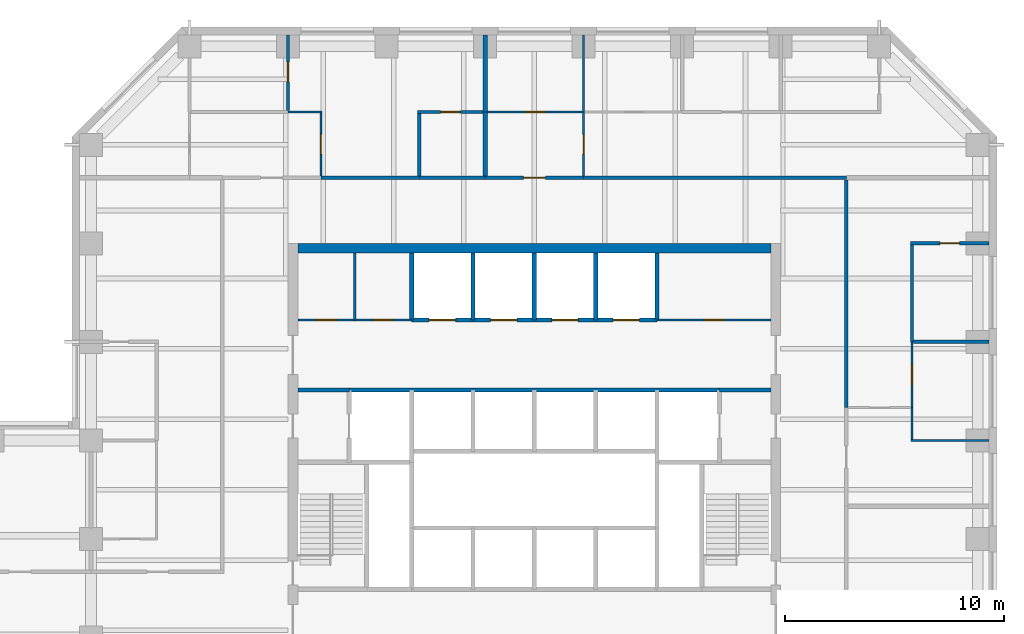
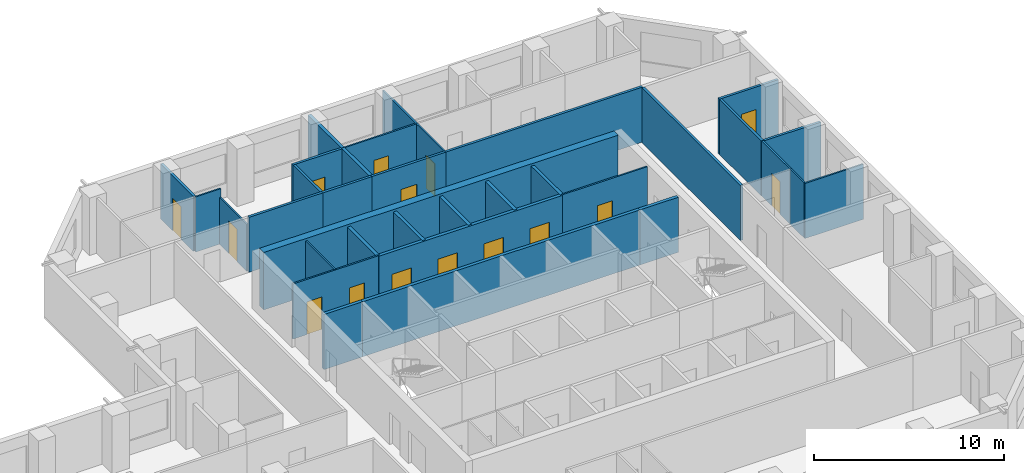
# One storey, part 8 of 11: 34 walls, 15 doors, 15 openings.
"""IFC4 building model written with IfcOpenShell, lengths in metres."""

from ifc_helpers import new_model, si_unit, direction, frame, frame_2d, origin, place, context, subcontext, project, spatial, rectangle, extrude, material, layer, layer_set, type_object, element, fill, save


model = new_model("IFC4")

# Units and contexts
model_context = context("Model", 3, precision=1e-05, world=origin(), true_north=direction((0.0, 1.0)))
body_context = subcontext(model_context, "Body", "Model", "MODEL_VIEW")
ifc_project = project(units=[si_unit("LENGTHUNIT", "METRE"), si_unit("AREAUNIT", "SQUARE_METRE"), si_unit("VOLUMEUNIT", "CUBIC_METRE"), si_unit("PLANEANGLEUNIT", "RADIAN"), si_unit("MASSUNIT", "GRAM", prefix="KILO")], contexts=[model_context])

# Site, building, storey
site_placement = place(None, origin())
site = spatial("IfcSite", under=ifc_project, at=site_placement, CompositionType="ELEMENT")
building_placement = place(site_placement, origin())
building = spatial("IfcBuilding", under=site, at=building_placement, Name="Quoin Convention Tower", CompositionType="ELEMENT")
storey_placement = place(building_placement, frame((0.0, 0.0, 123.300048828125)))
storey = spatial("IfcBuildingStorey", under=building, at=storey_placement, Name="L32", CompositionType="ELEMENT", Elevation=123.300048828125)

# Wall
ifc_material_1 = material(Name="Plasterboard")
ifc_layer_1 = layer(ifc_material_1, 0.012451171875, Name="Finish")
ifc_material_2 = material(Name="Steel stud framing", Category="steel")
ifc_layer_2 = layer(ifc_material_2, 0.125, Name="Structure")
ifc_layer_3 = layer(ifc_material_1, 0.012451171875, Name="Finish")
ifc_layer_set_1 = layer_set([ifc_layer_1, ifc_layer_2, ifc_layer_3], Name="Steel stud framing")
wall_type_1 = type_object("IfcWallType", Name="Acoustic partition 150", PredefinedType="PARTITIONING", material=ifc_layer_set_1)
wall_1_placement = place(storey_placement, frame((73.574951171875, 67.5, 0.0), z_axis=(0.0, 0.0, 1.0), x_axis=(1.0, 0.0, 0.0)))
element("IfcWall", 1, at=wall_1_placement, inside=storey, type_object=wall_type_1, Name="pw-L32-042", PredefinedType="PARTITIONING", context=body_context, shape_type="SweptSolid", body=[
    extrude(rectangle(XDim=3.449951171875, YDim=0.14990234375, at=frame_2d((1.72509765625, 0.0))), origin(), (0.0, 0.0, 1.0), 3.550048828125),
])

# Wall, opening, door
wall_2_placement = place(storey_placement, frame((73.425048828125, 72.0, 0.0), z_axis=(0.0, 0.0, 1.0), x_axis=(1.0, 0.0, 0.0)))
wall_2 = element("IfcWall", 2, at=wall_2_placement, inside=storey, type_object=wall_type_1, Name="pw-L32-043", PredefinedType="PARTITIONING", context=body_context, shape_type="SweptSolid", body=[
    extrude(rectangle(XDim=3.599853515625, YDim=0.14990234375, at=frame_2d((1.7998046875, 0.0))), origin(), (0.0, 0.0, 1.0), 3.550048828125),
])
opening_1_placement = place(wall_2_placement, frame((1.35009765625, 0.0, 0.0)))
opening_1 = element("IfcOpeningElement", 3, at=opening_1_placement, cuts=wall_2, Name="Opening DOL6-16", PredefinedType="OPENING", context=body_context, shape_type="SweptSolid", body=[
    extrude(rectangle(XDim=0.89990234375, YDim=2.10009765625, at=frame_2d((0.449951171875, 1.050048828125))), frame((0.0, 0.0849609375, 0.0), z_axis=(0.0, -1.0, 0.0), x_axis=(1.0, 0.0, 0.0)), (0.0, 0.0, 1.0), 0.169921875),
])
ifc_material_3 = material(Name="Steel door leaf", Category="steel")
door_type_1 = type_object("IfcDoorType", Name="Office door 900 x 2100", OperationType="SINGLE_SWING_RIGHT", PredefinedType="DOOR", material=ifc_material_3)
door_1_placement = place(opening_1_placement, origin())
door_1 = element("IfcDoor", 4, at=door_1_placement, inside=storey, type_object=door_type_1, Name="dr-L32-28", OperationType="SINGLE_SWING_RIGHT", OverallHeight=2.10009765625, OverallWidth=0.89990234375, PredefinedType="DOOR", context=body_context, shape_type="SweptSolid", body=[
    extrude(rectangle(XDim=0.89990234375, YDim=2.10009765625, at=frame_2d((0.449951171875, 1.050048828125))), frame((0.0, 0.02490234375, 0.0), z_axis=(0.0, -1.0, 0.0), x_axis=(1.0, 0.0, 0.0)), (0.0, 0.0, 1.0), 0.050048828125),
])
fill(opening_1, door_1)

# Wall
wall_3_placement = place(storey_placement, frame((73.5, 67.5, 0.0), z_axis=(0.0, 0.0, 1.0), x_axis=(0.0, 1.0, 0.0)))
element("IfcWall", 5, at=wall_3_placement, inside=storey, type_object=wall_type_1, Name="pw-L32-097", PredefinedType="PARTITIONING", context=body_context, shape_type="SweptSolid", body=[
    extrude(rectangle(XDim=4.425048828125, YDim=0.14990234375, at=frame_2d((2.21240234375, 0.0))), origin(), (0.0, 0.0, 1.0), 3.550048828125),
])

# Wall, opening, door
wall_4_placement = place(storey_placement, frame((45.0, 78.074951171875, 0.0), z_axis=(0.0, 0.0, 1.0), x_axis=(0.0, 1.0, 0.0)))
wall_4 = element("IfcWall", 6, at=wall_4_placement, inside=storey, type_object=wall_type_1, Name="pw-L32-106", PredefinedType="PARTITIONING", context=body_context, shape_type="SweptSolid", body=[
    extrude(rectangle(XDim=3.449951171875, YDim=0.14990234375, at=frame_2d((1.72509765625, 0.0))), origin(), (0.0, 0.0, 1.0), 3.550048828125),
])
opening_2_placement = place(wall_4_placement, frame((1.300048828125, 0.0, 0.0)))
opening_2 = element("IfcOpeningElement", 7, at=opening_2_placement, cuts=wall_4, Name="Opening DOL6-36", PredefinedType="OPENING", context=body_context, shape_type="SweptSolid", body=[
    extrude(rectangle(XDim=0.89990234375, YDim=2.10009765625, at=frame_2d((0.449951171875, 1.050048828125))), frame((0.0, 0.0849609375, 0.0), z_axis=(0.0, -1.0, 0.0), x_axis=(1.0, 0.0, 0.0)), (0.0, 0.0, 1.0), 0.169921875),
])
door_2_placement = place(opening_2_placement, frame((0.89990234375, 0.0, 0.0), z_axis=(0.0, 0.0, 1.0), x_axis=(-1.0, 0.0, 0.0)))
door_2 = element("IfcDoor", 8, at=door_2_placement, inside=storey, type_object=door_type_1, Name="dr-L32-33", OperationType="SINGLE_SWING_LEFT", OverallHeight=2.10009765625, OverallWidth=0.89990234375, PredefinedType="DOOR", context=body_context, shape_type="SweptSolid", body=[
    extrude(rectangle(XDim=0.89990234375, YDim=2.10009765625, at=frame_2d((0.449951171875, 1.050048828125))), frame((0.0, 0.02490234375, 0.0), z_axis=(0.0, -1.0, 0.0), x_axis=(1.0, 0.0, 0.0)), (0.0, 0.0, 1.0), 0.050048828125),
])
fill(opening_2, door_2)

# Wall, openings, doors
ifc_layer_4 = layer(ifc_material_1, 0.012451171875, Name="Finish")
ifc_layer_5 = layer(ifc_material_2, 0.074951171875, Name="Structure")
ifc_layer_6 = layer(ifc_material_1, 0.012451171875, Name="Finish")
ifc_layer_set_2 = layer_set([ifc_layer_4, ifc_layer_5, ifc_layer_6], Name="Steel stud framing")
wall_type_2 = type_object("IfcWallType", Name="Core partition wall", PredefinedType="PARTITIONING", material=ifc_layer_set_2)
wall_5_placement = place(storey_placement, frame((45.449951171875, 68.5, 0.0), z_axis=(0.0, 0.0, 1.0), x_axis=(1.0, 0.0, 0.0)))
wall_5 = element("IfcWall", 9, at=wall_5_placement, inside=storey, type_object=wall_type_2, Name="cr-C1-L32-h19000_450", PredefinedType="PARTITIONING", context=body_context, shape_type="SweptSolid", body=[
    extrude(rectangle(XDim=5.199951171875, YDim=0.10009765625, at=frame_2d((2.60009765625, 0.0))), origin(), (0.0, 0.0, 1.0), 3.550048828125),
])
opening_3_placement = place(wall_5_placement, frame((0.85009765625, 0.0, 0.0)))
opening_3 = element("IfcOpeningElement", 10, at=opening_3_placement, cuts=wall_5, Name="Opening DCV5-16", PredefinedType="OPENING", context=body_context, shape_type="SweptSolid", body=[
    extrude(rectangle(XDim=0.89990234375, YDim=2.10009765625, at=frame_2d((0.449951171875, 1.050048828125))), frame((0.0, 0.06005859375, 0.0), z_axis=(0.0, -1.0, 0.0), x_axis=(1.0, 0.0, 0.0)), (0.0, 0.0, 1.0), 0.1201171875),
])
opening_4_placement = place(wall_5_placement, frame((3.449951171875, 0.0, 0.0)))
opening_4 = element("IfcOpeningElement", 11, at=opening_4_placement, cuts=wall_5, Name="Opening DCV5-17", PredefinedType="OPENING", context=body_context, shape_type="SweptSolid", body=[
    extrude(rectangle(XDim=0.89990234375, YDim=2.10009765625, at=frame_2d((0.449951171875, 1.050048828125))), frame((0.0, 0.06005859375, 0.0), z_axis=(0.0, -1.0, 0.0), x_axis=(1.0, 0.0, 0.0)), (0.0, 0.0, 1.0), 0.1201171875),
])
door_type_2 = type_object("IfcDoorType", Name="Core room door 900 x 2100", OperationType="SINGLE_SWING_LEFT", PredefinedType="DOOR", material=ifc_material_3)
door_3_placement = place(opening_3_placement, origin())
door_3 = element("IfcDoor", 12, at=door_3_placement, inside=storey, type_object=door_type_2, Name="cd-C1-L32-CNW0-lobB-CD3208", OperationType="SINGLE_SWING_RIGHT", OverallHeight=2.10009765625, OverallWidth=0.89990234375, PredefinedType="DOOR", context=body_context, shape_type="SweptSolid", body=[
    extrude(rectangle(XDim=0.89990234375, YDim=2.10009765625, at=frame_2d((0.449951171875, 1.050048828125))), frame((0.0, 0.02490234375, 0.0), z_axis=(0.0, -1.0, 0.0), x_axis=(1.0, 0.0, 0.0)), (0.0, 0.0, 1.0), 0.050048828125),
])
fill(opening_3, door_3)
door_4_placement = place(opening_4_placement, origin())
door_4 = element("IfcDoor", 13, at=door_4_placement, inside=storey, type_object=door_type_2, Name="cd-C1-L32-CNW1-lobB-CD3209", OperationType="SINGLE_SWING_RIGHT", OverallHeight=2.10009765625, OverallWidth=0.89990234375, PredefinedType="DOOR", context=body_context, shape_type="SweptSolid", body=[
    extrude(rectangle(XDim=0.89990234375, YDim=2.10009765625, at=frame_2d((0.449951171875, 1.050048828125))), frame((0.0, 0.02490234375, 0.0), z_axis=(0.0, -1.0, 0.0), x_axis=(1.0, 0.0, 0.0)), (0.0, 0.0, 1.0), 0.050048828125),
])
fill(opening_4, door_4)

# Wall, opening, door
wall_6_placement = place(storey_placement, frame((61.85009765625, 68.5, 0.0), z_axis=(0.0, 0.0, 1.0), x_axis=(1.0, 0.0, 0.0)))
wall_6 = element("IfcWall", 14, at=wall_6_placement, inside=storey, type_object=wall_type_2, Name="cr-C1-L32-h19000_16850", PredefinedType="PARTITIONING", context=body_context, shape_type="SweptSolid", body=[
    extrude(rectangle(XDim=5.199951171875, YDim=0.10009765625, at=frame_2d((2.60009765625, 0.0))), origin(), (0.0, 0.0, 1.0), 3.550048828125),
])
opening_5_placement = place(wall_6_placement, frame((2.14990234375, 0.0, 0.0)))
opening_5 = element("IfcOpeningElement", 15, at=opening_5_placement, cuts=wall_6, Name="Opening DCV5-02", PredefinedType="OPENING", context=body_context, shape_type="SweptSolid", body=[
    extrude(rectangle(XDim=0.89990234375, YDim=2.10009765625, at=frame_2d((0.449951171875, 1.050048828125))), frame((0.0, 0.06005859375, 0.0), z_axis=(0.0, -1.0, 0.0), x_axis=(1.0, 0.0, 0.0)), (0.0, 0.0, 1.0), 0.1201171875),
])
door_5_placement = place(opening_5_placement, origin())
door_5 = element("IfcDoor", 16, at=door_5_placement, inside=storey, type_object=door_type_2, Name="cd-C1-L32-CNE0-lobB-CD3207", OperationType="SINGLE_SWING_LEFT", OverallHeight=2.10009765625, OverallWidth=0.89990234375, PredefinedType="DOOR", context=body_context, shape_type="SweptSolid", body=[
    extrude(rectangle(XDim=0.89990234375, YDim=2.10009765625, at=frame_2d((0.449951171875, 1.050048828125))), frame((0.0, 0.02490234375, 0.0), z_axis=(0.0, -1.0, 0.0), x_axis=(1.0, 0.0, 0.0)), (0.0, 0.0, 1.0), 0.050048828125),
])
fill(opening_5, door_5)

# Walls
wall_7_placement = place(storey_placement, frame((48.050048828125, 68.5, 0.0), z_axis=(0.0, 0.0, 1.0), x_axis=(0.0, 1.0, 0.0)))
element("IfcWall", 17, at=wall_7_placement, inside=storey, type_object=wall_type_2, Name="cr-C1-L32-v3050_19000", PredefinedType="PARTITIONING", context=body_context, shape_type="SweptSolid", body=[
    extrude(rectangle(XDim=3.050048828125, YDim=0.10009765625, at=frame_2d((1.52490234375, 0.0))), origin(), (0.0, 0.0, 1.0), 3.550048828125),
])
ifc_material_4 = material(Name="Concrete C50", Category="concrete")
ifc_layer_7 = layer(ifc_material_4, 0.199951171875)
ifc_layer_set_3 = layer_set([ifc_layer_7], Name="Concrete C50")
wall_type_3 = type_object("IfcWallType", Name="Core shaft wall", PredefinedType="SOLIDWALL", material=ifc_layer_set_3)
for number, where, z_axis, x_axis, name in (
    (18, (45.449951171875, 65.300048828125, 0.0), (0.0, 0.0, 1.0), (1.0, 0.0, 0.0), "cr-C1-L32-h15800_450"),
    (19, (64.699951171875, 65.300048828125, 0.0), (0.0, 0.0, 1.0), (1.0, 0.0, 0.0), "cr-C1-L32-h15800_19700"),
):
    element("IfcWall", number, at=place(storey_placement, frame(where, z_axis=z_axis, x_axis=x_axis)), inside=storey, type_object=wall_type_3, Name=name, PredefinedType="SOLIDWALL", context=body_context, shape_type="SweptSolid", body=[
        extrude(rectangle(XDim=2.35009765625, YDim=0.199951171875, at=frame_2d((1.175048828125, 0.0))), origin(), (0.0, 0.0, 1.0), 3.550048828125),
    ])
wall_8_placement = place(storey_placement, frame((47.800048828125, 65.300048828125, 0.0), z_axis=(0.0, 0.0, 1.0), x_axis=(1.0, 0.0, 0.0)))
element("IfcWall", 20, at=wall_8_placement, inside=storey, type_object=wall_type_3, Name="cr-C1-L32-h15800_2800", PredefinedType="SOLIDWALL", context=body_context, shape_type="SweptSolid", body=[
    extrude(rectangle(XDim=16.89990234375, YDim=0.199951171875, at=frame_2d((8.449951171875, 0.0))), origin(), (0.0, 0.0, 1.0), 3.550048828125),
])

# Wall, openings, doors
wall_9_placement = place(storey_placement, frame((50.64990234375, 68.5, 0.0), z_axis=(0.0, 0.0, 1.0), x_axis=(1.0, 0.0, 0.0)))
wall_9 = element("IfcWall", 21, at=wall_9_placement, inside=storey, type_object=wall_type_3, Name="cr-C1-L32-h19000_5650", PredefinedType="SOLIDWALL", context=body_context, shape_type="SweptSolid", body=[
    extrude(rectangle(XDim=11.2001953125, YDim=0.199951171875, at=frame_2d((5.60009765625, 0.0))), origin(), (0.0, 0.0, 1.0), 3.550048828125),
])
opening_6_placement = place(wall_9_placement, frame((0.800048828125, 0.0, 0.0)))
opening_6 = element("IfcOpeningElement", 22, at=opening_6_placement, cuts=wall_9, Name="Opening LDL5", PredefinedType="OPENING", context=body_context, shape_type="SweptSolid", body=[
    extrude(rectangle(XDim=1.199951171875, YDim=2.10009765625, at=frame_2d((0.60009765625, 1.050048828125))), frame((0.0, 0.10986328125, 0.0), z_axis=(0.0, -1.0, 0.0), x_axis=(1.0, 0.0, 0.0)), (0.0, 0.0, 1.0), 0.219970703125),
])
opening_7_placement = place(wall_9_placement, frame((3.60009765625, 0.0, 0.0)))
opening_7 = element("IfcOpeningElement", 23, at=opening_7_placement, cuts=wall_9, Name="Opening LDL6", PredefinedType="OPENING", context=body_context, shape_type="SweptSolid", body=[
    extrude(rectangle(XDim=1.199951171875, YDim=2.10009765625, at=frame_2d((0.60009765625, 1.050048828125))), frame((0.0, 0.10986328125, 0.0), z_axis=(0.0, -1.0, 0.0), x_axis=(1.0, 0.0, 0.0)), (0.0, 0.0, 1.0), 0.219970703125),
])
opening_8_placement = place(wall_9_placement, frame((6.39990234375, 0.0, 0.0)))
opening_8 = element("IfcOpeningElement", 24, at=opening_8_placement, cuts=wall_9, Name="Opening LDL7", PredefinedType="OPENING", context=body_context, shape_type="SweptSolid", body=[
    extrude(rectangle(XDim=1.199951171875, YDim=2.10009765625, at=frame_2d((0.60009765625, 1.050048828125))), frame((0.0, 0.10986328125, 0.0), z_axis=(0.0, -1.0, 0.0), x_axis=(1.0, 0.0, 0.0)), (0.0, 0.0, 1.0), 0.219970703125),
])
opening_9_placement = place(wall_9_placement, frame((9.199951171875, 0.0, 0.0)))
opening_9 = element("IfcOpeningElement", 25, at=opening_9_placement, cuts=wall_9, Name="Opening LDL8", PredefinedType="OPENING", context=body_context, shape_type="SweptSolid", body=[
    extrude(rectangle(XDim=1.199951171875, YDim=2.10009765625, at=frame_2d((0.60009765625, 1.050048828125))), frame((0.0, 0.10986328125, 0.0), z_axis=(0.0, -1.0, 0.0), x_axis=(1.0, 0.0, 0.0)), (0.0, 0.0, 1.0), 0.219970703125),
])
door_type_3 = type_object("IfcDoorType", Name="Lift landing door 1200 x 2100", OperationType="DOUBLE_DOOR_SLIDING", PredefinedType="DOOR", material=ifc_material_3)
door_6_placement = place(opening_6_placement, origin())
door_6 = element("IfcDoor", 26, at=door_6_placement, inside=storey, type_object=door_type_3, Name="cd-C1-L32-R40-lobB-LDL5", OperationType="DOUBLE_DOOR_SLIDING", OverallHeight=2.10009765625, OverallWidth=1.199951171875, PredefinedType="DOOR", context=body_context, shape_type="SweptSolid", body=[
    extrude(rectangle(XDim=1.199951171875, YDim=2.10009765625, at=frame_2d((0.60009765625, 1.050048828125))), frame((0.0, 0.02490234375, 0.0), z_axis=(0.0, -1.0, 0.0), x_axis=(1.0, 0.0, 0.0)), (0.0, 0.0, 1.0), 0.050048828125),
])
fill(opening_6, door_6)
door_7_placement = place(opening_7_placement, origin())
door_7 = element("IfcDoor", 27, at=door_7_placement, inside=storey, type_object=door_type_3, Name="cd-C1-L32-R41-lobB-LDL6", OperationType="DOUBLE_DOOR_SLIDING", OverallHeight=2.10009765625, OverallWidth=1.199951171875, PredefinedType="DOOR", context=body_context, shape_type="SweptSolid", body=[
    extrude(rectangle(XDim=1.199951171875, YDim=2.10009765625, at=frame_2d((0.60009765625, 1.050048828125))), frame((0.0, 0.02490234375, 0.0), z_axis=(0.0, -1.0, 0.0), x_axis=(1.0, 0.0, 0.0)), (0.0, 0.0, 1.0), 0.050048828125),
])
fill(opening_7, door_7)
door_8_placement = place(opening_8_placement, origin())
door_8 = element("IfcDoor", 28, at=door_8_placement, inside=storey, type_object=door_type_3, Name="cd-C1-L32-R42-lobB-LDL7", OperationType="DOUBLE_DOOR_SLIDING", OverallHeight=2.10009765625, OverallWidth=1.199951171875, PredefinedType="DOOR", context=body_context, shape_type="SweptSolid", body=[
    extrude(rectangle(XDim=1.199951171875, YDim=2.10009765625, at=frame_2d((0.60009765625, 1.050048828125))), frame((0.0, 0.02490234375, 0.0), z_axis=(0.0, -1.0, 0.0), x_axis=(1.0, 0.0, 0.0)), (0.0, 0.0, 1.0), 0.050048828125),
])
fill(opening_8, door_8)
door_9_placement = place(opening_9_placement, origin())
door_9 = element("IfcDoor", 29, at=door_9_placement, inside=storey, type_object=door_type_3, Name="cd-C1-L32-R43-lobB-LDL8", OperationType="DOUBLE_DOOR_SLIDING", OverallHeight=2.10009765625, OverallWidth=1.199951171875, PredefinedType="DOOR", context=body_context, shape_type="SweptSolid", body=[
    extrude(rectangle(XDim=1.199951171875, YDim=2.10009765625, at=frame_2d((0.60009765625, 1.050048828125))), frame((0.0, 0.02490234375, 0.0), z_axis=(0.0, -1.0, 0.0), x_axis=(1.0, 0.0, 0.0)), (0.0, 0.0, 1.0), 0.050048828125),
])
fill(opening_9, door_9)

# Walls
for number, where, z_axis, x_axis, name in (
    (30, (50.64990234375, 68.5, 0.0), (0.0, 0.0, 1.0), (0.0, 1.0, 0.0), "cr-C1-L32-v5650_19000"),
    (31, (53.449951171875, 68.5, 0.0), (0.0, 0.0, 1.0), (0.0, 1.0, 0.0), "cr-C1-L32-v8450_19000"),
    (32, (56.25, 68.5, 0.0), (0.0, 0.0, 1.0), (0.0, 1.0, 0.0), "cr-C1-L32-v11250_19000"),
    (33, (59.050048828125, 68.5, 0.0), (0.0, 0.0, 1.0), (0.0, 1.0, 0.0), "cr-C1-L32-v14050_19000"),
    (34, (61.85009765625, 68.5, 0.0), (0.0, 0.0, 1.0), (0.0, 1.0, 0.0), "cr-C1-L32-v16850_19000"),
):
    element("IfcWall", number, at=place(storey_placement, frame(where, z_axis=z_axis, x_axis=x_axis)), inside=storey, type_object=wall_type_3, Name=name, PredefinedType="SOLIDWALL", context=body_context, shape_type="SweptSolid", body=[
        extrude(rectangle(XDim=3.050048828125, YDim=0.199951171875, at=frame_2d((1.52490234375, 0.0))), origin(), (0.0, 0.0, 1.0), 3.550048828125),
    ])
ifc_layer_8 = layer(ifc_material_1, 0.012451171875, Name="Finish")
ifc_layer_9 = layer(ifc_material_2, 0.125, Name="Structure")
ifc_layer_10 = layer(ifc_material_1, 0.012451171875, Name="Finish")
ifc_layer_set_4 = layer_set([ifc_layer_8, ifc_layer_9, ifc_layer_10], Name="Steel stud framing")
wall_type_4 = type_object("IfcWallType", Name="Corridor wall 150", PredefinedType="PARTITIONING", material=ifc_layer_set_4)
wall_10_placement = place(storey_placement, frame((46.5, 75.0, 0.0), z_axis=(0.0, 0.0, 1.0), x_axis=(1.0, 0.0, 0.0)))
element("IfcWall", 35, at=wall_10_placement, inside=storey, type_object=wall_type_4, Name="pw-L32-047", PredefinedType="PARTITIONING", context=body_context, shape_type="SweptSolid", body=[
    extrude(rectangle(XDim=4.5, YDim=0.14990234375, at=frame_2d((2.25, 0.0))), origin(), (0.0, 0.0, 1.0), 3.550048828125),
])
wall_11_placement = place(storey_placement, frame((51.0, 75.0, 0.0), z_axis=(0.0, 0.0, 1.0), x_axis=(1.0, 0.0, 0.0)))
element("IfcWall", 36, at=wall_11_placement, inside=storey, type_object=wall_type_4, Name="pw-L32-048", PredefinedType="PARTITIONING", context=body_context, shape_type="SweptSolid", body=[
    extrude(rectangle(XDim=3.0, YDim=0.14990234375, at=frame_2d((1.5, 0.0))), origin(), (0.0, 0.0, 1.0), 3.550048828125),
])

# Wall, opening, door
wall_12_placement = place(storey_placement, frame((54.0, 75.0, 0.0), z_axis=(0.0, 0.0, 1.0), x_axis=(1.0, 0.0, 0.0)))
wall_12 = element("IfcWall", 37, at=wall_12_placement, inside=storey, type_object=wall_type_4, Name="pw-L32-049", PredefinedType="PARTITIONING", context=body_context, shape_type="SweptSolid", body=[
    extrude(rectangle(XDim=4.5, YDim=0.14990234375, at=frame_2d((2.25, 0.0))), origin(), (0.0, 0.0, 1.0), 3.550048828125),
])
opening_10_placement = place(wall_12_placement, frame((1.75, 0.0, 0.0)))
opening_10 = element("IfcOpeningElement", 38, at=opening_10_placement, cuts=wall_12, Name="Opening DOL6-18", PredefinedType="OPENING", context=body_context, shape_type="SweptSolid", body=[
    extrude(rectangle(XDim=1.0, YDim=2.10009765625, at=frame_2d((0.5, 1.050048828125))), frame((0.0, 0.0849609375, 0.0), z_axis=(0.0, -1.0, 0.0), x_axis=(1.0, 0.0, 0.0)), (0.0, 0.0, 1.0), 0.169921875),
])
door_type_4 = type_object("IfcDoorType", Name="Tenancy entrance door 1000 x 2100", OperationType="DOUBLE_DOOR_SINGLE_SWING", PredefinedType="DOOR", material=ifc_material_3)
door_10_placement = place(opening_10_placement, origin())
door_10 = element("IfcDoor", 39, at=door_10_placement, inside=storey, type_object=door_type_4, Name="dr-L32-34", OperationType="DOUBLE_DOOR_SINGLE_SWING", OverallHeight=2.10009765625, OverallWidth=1.0, PredefinedType="DOOR", context=body_context, shape_type="SweptSolid", body=[
    extrude(rectangle(XDim=1.0, YDim=2.10009765625, at=frame_2d((0.5, 1.050048828125))), frame((0.0, 0.02490234375, 0.0), z_axis=(0.0, -1.0, 0.0), x_axis=(1.0, 0.0, 0.0)), (0.0, 0.0, 1.0), 0.050048828125),
])
fill(opening_10, door_10)

# Walls
wall_13_placement = place(storey_placement, frame((58.5, 75.0, 0.0), z_axis=(0.0, 0.0, 1.0), x_axis=(1.0, 0.0, 0.0)))
element("IfcWall", 40, at=wall_13_placement, inside=storey, type_object=wall_type_4, Name="pw-L32-050", PredefinedType="PARTITIONING", context=body_context, shape_type="SweptSolid", body=[
    extrude(rectangle(XDim=12.0, YDim=0.14990234375, at=frame_2d((6.0, 0.0))), origin(), (0.0, 0.0, 1.0), 3.550048828125),
])
wall_14_placement = place(storey_placement, frame((70.5, 64.5, 0.0), z_axis=(0.0, 0.0, 1.0), x_axis=(0.0, 1.0, 0.0)))
element("IfcWall", 41, at=wall_14_placement, inside=storey, type_object=wall_type_4, Name="pw-L32-095", PredefinedType="PARTITIONING", context=body_context, shape_type="SweptSolid", body=[
    extrude(rectangle(XDim=10.39990234375, YDim=0.14990234375, at=frame_2d((5.199951171875, 0.0))), origin(), (0.0, 0.0, 1.0), 3.550048828125),
])
ifc_material_5 = material(Name="Concrete C65", Category="concrete")
ifc_layer_11 = layer(ifc_material_5, 0.449951171875)
ifc_layer_set_5 = layer_set([ifc_layer_11], Name="Concrete C65")
wall_type_5 = type_object("IfcWallType", Name="RC CORE WALL 450 C65", PredefinedType="SHEAR", material=ifc_layer_set_5)
wall_15_placement = place(storey_placement, frame((45.449951171875, 71.77490234375, 0.0), z_axis=(0.0, 0.0, 1.0), x_axis=(1.0, 0.0, 0.0)))
element("IfcWall", 42, at=wall_15_placement, inside=storey, type_object=wall_type_5, Name="cwl-C1-L32-N", PredefinedType="SHEAR", context=body_context, shape_type="SweptSolid", body=[
    extrude(rectangle(XDim=21.60009765625, YDim=0.449951171875, at=frame_2d((10.800048828125, 0.0))), origin(), (0.0, 0.0, 1.0), 3.699951171875),
])
ifc_layer_12 = layer(ifc_material_1, 0.012451171875, Name="Finish")
ifc_layer_13 = layer(ifc_material_2, 0.074951171875, Name="Structure")
ifc_layer_14 = layer(ifc_material_1, 0.012451171875, Name="Finish")
ifc_layer_set_6 = layer_set([ifc_layer_12, ifc_layer_13, ifc_layer_14], Name="Steel stud framing")
wall_type_6 = type_object("IfcWallType", Name="Stud partition 100", PredefinedType="PARTITIONING", material=ifc_layer_set_6)
wall_16_placement = place(storey_placement, frame((73.449951171875, 63.0, 0.0), z_axis=(0.0, 0.0, 1.0), x_axis=(1.0, 0.0, 0.0)))
element("IfcWall", 43, at=wall_16_placement, inside=storey, type_object=wall_type_6, Name="pw-L32-039", PredefinedType="PARTITIONING", context=body_context, shape_type="SweptSolid", body=[
    extrude(rectangle(XDim=3.574951171875, YDim=0.10009765625, at=frame_2d((1.78759765625, 0.0))), origin(), (0.0, 0.0, 1.0), 3.550048828125),
])
wall_17_placement = place(storey_placement, frame((45.0, 78.0, 0.0), z_axis=(0.0, 0.0, 1.0), x_axis=(1.0, 0.0, 0.0)))
element("IfcWall", 44, at=wall_17_placement, inside=storey, type_object=wall_type_6, Name="pw-L32-053", PredefinedType="PARTITIONING", context=body_context, shape_type="SweptSolid", body=[
    extrude(rectangle(XDim=1.550048828125, YDim=0.10009765625, at=frame_2d((0.77490234375, 0.0))), origin(), (0.0, 0.0, 1.0), 3.550048828125),
])

# Wall, opening, door
wall_18_placement = place(storey_placement, frame((54.10009765625, 78.0, 0.0), z_axis=(0.0, 0.0, 1.0), x_axis=(1.0, 0.0, 0.0)))
wall_18 = element("IfcWall", 45, at=wall_18_placement, inside=storey, type_object=wall_type_6, Name="pw-L32-055", PredefinedType="PARTITIONING", context=body_context, shape_type="SweptSolid", body=[
    extrude(rectangle(XDim=4.349853515625, YDim=0.10009765625, at=frame_2d((2.1748046875, 0.0))), origin(), (0.0, 0.0, 1.0), 3.550048828125),
])
opening_11_placement = place(wall_18_placement, frame((1.75, 0.0, 0.0)))
opening_11 = element("IfcOpeningElement", 46, at=opening_11_placement, cuts=wall_18, Name="Opening DOL6-20", PredefinedType="OPENING", context=body_context, shape_type="SweptSolid", body=[
    extrude(rectangle(XDim=0.89990234375, YDim=2.10009765625, at=frame_2d((0.449951171875, 1.050048828125))), frame((0.0, 0.06005859375, 0.0), z_axis=(0.0, -1.0, 0.0), x_axis=(1.0, 0.0, 0.0)), (0.0, 0.0, 1.0), 0.1201171875),
])
door_11_placement = place(opening_11_placement, origin())
door_11 = element("IfcDoor", 47, at=door_11_placement, inside=storey, type_object=door_type_1, Name="dr-L32-36", OperationType="SINGLE_SWING_RIGHT", OverallHeight=2.10009765625, OverallWidth=0.89990234375, PredefinedType="DOOR", context=body_context, shape_type="SweptSolid", body=[
    extrude(rectangle(XDim=0.89990234375, YDim=2.10009765625, at=frame_2d((0.449951171875, 1.050048828125))), frame((0.0, 0.02490234375, 0.0), z_axis=(0.0, -1.0, 0.0), x_axis=(1.0, 0.0, 0.0)), (0.0, 0.0, 1.0), 0.050048828125),
])
fill(opening_11, door_11)

# Wall
wall_19_placement = place(storey_placement, frame((73.5, 63.050048828125, 0.0), z_axis=(0.0, 0.0, 1.0), x_axis=(0.0, 1.0, 0.0)))
element("IfcWall", 48, at=wall_19_placement, inside=storey, type_object=wall_type_6, Name="pw-L32-094", PredefinedType="PARTITIONING", context=body_context, shape_type="SweptSolid", body=[
    extrude(rectangle(XDim=1.449951171875, YDim=0.10009765625, at=frame_2d((0.72509765625, 0.0))), origin(), (0.0, 0.0, 1.0), 3.550048828125),
])

# Wall, opening, door
wall_20_placement = place(storey_placement, frame((73.5, 64.5, 0.0), z_axis=(0.0, 0.0, 1.0), x_axis=(0.0, 1.0, 0.0)))
wall_20 = element("IfcWall", 49, at=wall_20_placement, inside=storey, type_object=wall_type_6, Name="pw-L32-096", PredefinedType="PARTITIONING", context=body_context, shape_type="SweptSolid", body=[
    extrude(rectangle(XDim=3.0, YDim=0.10009765625, at=frame_2d((1.5, 0.0))), origin(), (0.0, 0.0, 1.0), 3.550048828125),
])
opening_12_placement = place(wall_20_placement, frame((1.050048828125, 0.0, 0.0)))
opening_12 = element("IfcOpeningElement", 50, at=opening_12_placement, cuts=wall_20, Name="Opening DOL6-32", PredefinedType="OPENING", context=body_context, shape_type="SweptSolid", body=[
    extrude(rectangle(XDim=0.89990234375, YDim=2.10009765625, at=frame_2d((0.449951171875, 1.050048828125))), frame((0.0, 0.06005859375, 0.0), z_axis=(0.0, -1.0, 0.0), x_axis=(1.0, 0.0, 0.0)), (0.0, 0.0, 1.0), 0.1201171875),
])
door_12_placement = place(opening_12_placement, origin())
door_12 = element("IfcDoor", 51, at=door_12_placement, inside=storey, type_object=door_type_1, Name="dr-L32-27", OperationType="SINGLE_SWING_RIGHT", OverallHeight=2.10009765625, OverallWidth=0.89990234375, PredefinedType="DOOR", context=body_context, shape_type="SweptSolid", body=[
    extrude(rectangle(XDim=0.89990234375, YDim=2.10009765625, at=frame_2d((0.449951171875, 1.050048828125))), frame((0.0, 0.02490234375, 0.0), z_axis=(0.0, -1.0, 0.0), x_axis=(1.0, 0.0, 0.0)), (0.0, 0.0, 1.0), 0.050048828125),
])
fill(opening_12, door_12)

wall_21_placement = place(storey_placement, frame((58.5, 75.074951171875, 0.0), z_axis=(0.0, 0.0, 1.0), x_axis=(0.0, 1.0, 0.0)))
wall_21 = element("IfcWall", 52, at=wall_21_placement, inside=storey, type_object=wall_type_6, Name="pw-L32-101", PredefinedType="PARTITIONING", context=body_context, shape_type="SweptSolid", body=[
    extrude(rectangle(XDim=2.925048828125, YDim=0.10009765625, at=frame_2d((1.46240234375, 0.0))), origin(), (0.0, 0.0, 1.0), 3.550048828125),
])
opening_13_placement = place(wall_21_placement, frame((1.0, 0.0, 0.0)))
opening_13 = element("IfcOpeningElement", 53, at=opening_13_placement, cuts=wall_21, Name="Opening DOL6-34", PredefinedType="OPENING", context=body_context, shape_type="SweptSolid", body=[
    extrude(rectangle(XDim=0.89990234375, YDim=2.10009765625, at=frame_2d((0.449951171875, 1.050048828125))), frame((0.0, 0.06005859375, 0.0), z_axis=(0.0, -1.0, 0.0), x_axis=(1.0, 0.0, 0.0)), (0.0, 0.0, 1.0), 0.1201171875),
])
door_13_placement = place(opening_13_placement, frame((0.89990234375, 0.0, 0.0), z_axis=(0.0, 0.0, 1.0), x_axis=(-1.0, 0.0, 0.0)))
door_13 = element("IfcDoor", 54, at=door_13_placement, inside=storey, type_object=door_type_1, Name="dr-L32-35", OperationType="SINGLE_SWING_LEFT", OverallHeight=2.10009765625, OverallWidth=0.89990234375, PredefinedType="DOOR", context=body_context, shape_type="SweptSolid", body=[
    extrude(rectangle(XDim=0.89990234375, YDim=2.10009765625, at=frame_2d((0.449951171875, 1.050048828125))), frame((0.0, 0.02490234375, 0.0), z_axis=(0.0, -1.0, 0.0), x_axis=(1.0, 0.0, 0.0)), (0.0, 0.0, 1.0), 0.050048828125),
])
fill(opening_13, door_13)

# Wall
wall_22_placement = place(storey_placement, frame((58.5, 78.0, 0.0), z_axis=(0.0, 0.0, 1.0), x_axis=(0.0, 1.0, 0.0)))
element("IfcWall", 55, at=wall_22_placement, inside=storey, type_object=wall_type_6, Name="pw-L32-105", PredefinedType="PARTITIONING", context=body_context, shape_type="SweptSolid", body=[
    extrude(rectangle(XDim=3.52490234375, YDim=0.10009765625, at=frame_2d((1.762451171875, 0.0))), origin(), (0.0, 0.0, 1.0), 3.550048828125),
])

# Wall, opening, door
ifc_layer_15 = layer(ifc_material_1, 0.012451171875, Name="Finish")
ifc_layer_16 = layer(ifc_material_2, 0.074951171875, Name="Structure")
ifc_layer_17 = layer(ifc_material_1, 0.012451171875, Name="Finish")
ifc_layer_set_7 = layer_set([ifc_layer_15, ifc_layer_16, ifc_layer_17], Name="Steel stud framing")
wall_type_7 = type_object("IfcWallType", Name="Stud partition 100 under beam 528", PredefinedType="PARTITIONING", material=ifc_layer_set_7)
wall_23_placement = place(storey_placement, frame((46.5, 75.074951171875, 0.0), z_axis=(0.0, 0.0, 1.0), x_axis=(0.0, 1.0, 0.0)))
wall_23 = element("IfcWall", 56, at=wall_23_placement, inside=storey, type_object=wall_type_7, Name="pw-L32-098", PredefinedType="PARTITIONING", context=body_context, shape_type="SweptSolid", body=[
    extrude(rectangle(XDim=2.875, YDim=0.10009765625, at=frame_2d((1.4375, 0.0))), origin(), (0.0, 0.0, 1.0), 3.02197265625),
])
opening_14_placement = place(wall_23_placement, frame((1.0, 0.0, 0.0)))
opening_14 = element("IfcOpeningElement", 57, at=opening_14_placement, cuts=wall_23, Name="Opening DOL6-33", PredefinedType="OPENING", context=body_context, shape_type="SweptSolid", body=[
    extrude(rectangle(XDim=0.89990234375, YDim=2.10009765625, at=frame_2d((0.449951171875, 1.050048828125))), frame((0.0, 0.06005859375, 0.0), z_axis=(0.0, -1.0, 0.0), x_axis=(1.0, 0.0, 0.0)), (0.0, 0.0, 1.0), 0.1201171875),
])
door_14_placement = place(opening_14_placement, frame((0.89990234375, 0.0, 0.0), z_axis=(0.0, 0.0, 1.0), x_axis=(-1.0, 0.0, 0.0)))
door_14 = element("IfcDoor", 58, at=door_14_placement, inside=storey, type_object=door_type_1, Name="dr-L32-30", OperationType="SINGLE_SWING_LEFT", OverallHeight=2.10009765625, OverallWidth=0.89990234375, PredefinedType="DOOR", context=body_context, shape_type="SweptSolid", body=[
    extrude(rectangle(XDim=0.89990234375, YDim=2.10009765625, at=frame_2d((0.449951171875, 1.050048828125))), frame((0.0, 0.02490234375, 0.0), z_axis=(0.0, -1.0, 0.0), x_axis=(1.0, 0.0, 0.0)), (0.0, 0.0, 1.0), 0.050048828125),
])
fill(opening_14, door_14)

# Walls
ifc_layer_18 = layer(ifc_material_1, 0.012451171875, Name="Finish")
ifc_layer_19 = layer(ifc_material_2, 0.175048828125, Name="Structure")
ifc_layer_20 = layer(ifc_material_1, 0.012451171875, Name="Finish")
ifc_layer_set_8 = layer_set([ifc_layer_18, ifc_layer_19, ifc_layer_20], Name="Steel stud framing")
wall_type_8 = type_object("IfcWallType", Name="Tenancy demising wall 200", PredefinedType="PARTITIONING", material=ifc_layer_set_8)
wall_24_placement = place(storey_placement, frame((54.0, 75.074951171875, 0.0), z_axis=(0.0, 0.0, 1.0), x_axis=(0.0, 1.0, 0.0)))
element("IfcWall", 59, at=wall_24_placement, inside=storey, type_object=wall_type_8, Name="pw-L32-100", PredefinedType="PARTITIONING", context=body_context, shape_type="SweptSolid", body=[
    extrude(rectangle(XDim=2.925048828125, YDim=0.199951171875, at=frame_2d((1.46240234375, 0.0))), origin(), (0.0, 0.0, 1.0), 3.550048828125),
])
wall_25_placement = place(storey_placement, frame((54.0, 78.0, 0.0), z_axis=(0.0, 0.0, 1.0), x_axis=(0.0, 1.0, 0.0)))
element("IfcWall", 60, at=wall_25_placement, inside=storey, type_object=wall_type_8, Name="pw-L32-104", PredefinedType="PARTITIONING", context=body_context, shape_type="SweptSolid", body=[
    extrude(rectangle(XDim=3.52490234375, YDim=0.199951171875, at=frame_2d((1.762451171875, 0.0))), origin(), (0.0, 0.0, 1.0), 3.550048828125),
])

# Wall, opening, door
ifc_layer_21 = layer(ifc_material_1, 0.012451171875, Name="Finish")
ifc_layer_22 = layer(ifc_material_2, 0.125, Name="Structure")
ifc_layer_23 = layer(ifc_material_1, 0.012451171875, Name="Finish")
ifc_layer_set_9 = layer_set([ifc_layer_21, ifc_layer_22, ifc_layer_23], Name="Steel stud framing")
wall_type_9 = type_object("IfcWallType", Name="Wet area partition 150", PredefinedType="PARTITIONING", material=ifc_layer_set_9)
wall_26_placement = place(storey_placement, frame((50.925048828125, 78.0, 0.0), z_axis=(0.0, 0.0, 1.0), x_axis=(1.0, 0.0, 0.0)))
wall_26 = element("IfcWall", 61, at=wall_26_placement, inside=storey, type_object=wall_type_9, Name="pw-L32-054", PredefinedType="PARTITIONING", context=body_context, shape_type="SweptSolid", body=[
    extrude(rectangle(XDim=2.974853515625, YDim=0.14990234375, at=frame_2d((1.4873046875, 0.0))), origin(), (0.0, 0.0, 1.0), 3.550048828125),
])
opening_15_placement = place(wall_26_placement, frame((1.050048828125, 0.0, 0.0)))
opening_15 = element("IfcOpeningElement", 62, at=opening_15_placement, cuts=wall_26, Name="Opening DOL6-19", PredefinedType="OPENING", context=body_context, shape_type="SweptSolid", body=[
    extrude(rectangle(XDim=0.89990234375, YDim=2.10009765625, at=frame_2d((0.449951171875, 1.050048828125))), frame((0.0, 0.0849609375, 0.0), z_axis=(0.0, -1.0, 0.0), x_axis=(1.0, 0.0, 0.0)), (0.0, 0.0, 1.0), 0.169921875),
])
door_15_placement = place(opening_15_placement, origin())
door_15 = element("IfcDoor", 63, at=door_15_placement, inside=storey, type_object=door_type_1, Name="dr-L32-32", OperationType="SINGLE_SWING_RIGHT", OverallHeight=2.10009765625, OverallWidth=0.89990234375, PredefinedType="DOOR", context=body_context, shape_type="SweptSolid", body=[
    extrude(rectangle(XDim=0.89990234375, YDim=2.10009765625, at=frame_2d((0.449951171875, 1.050048828125))), frame((0.0, 0.02490234375, 0.0), z_axis=(0.0, -1.0, 0.0), x_axis=(1.0, 0.0, 0.0)), (0.0, 0.0, 1.0), 0.050048828125),
])
fill(opening_15, door_15)

# Wall
wall_27_placement = place(storey_placement, frame((51.0, 75.074951171875, 0.0), z_axis=(0.0, 0.0, 1.0), x_axis=(0.0, 1.0, 0.0)))
element("IfcWall", 64, at=wall_27_placement, inside=storey, type_object=wall_type_9, Name="pw-L32-099", PredefinedType="PARTITIONING", context=body_context, shape_type="SweptSolid", body=[
    extrude(rectangle(XDim=2.85009765625, YDim=0.14990234375, at=frame_2d((1.425048828125, 0.0))), origin(), (0.0, 0.0, 1.0), 3.550048828125),
])

save(model, "model.ifc")
